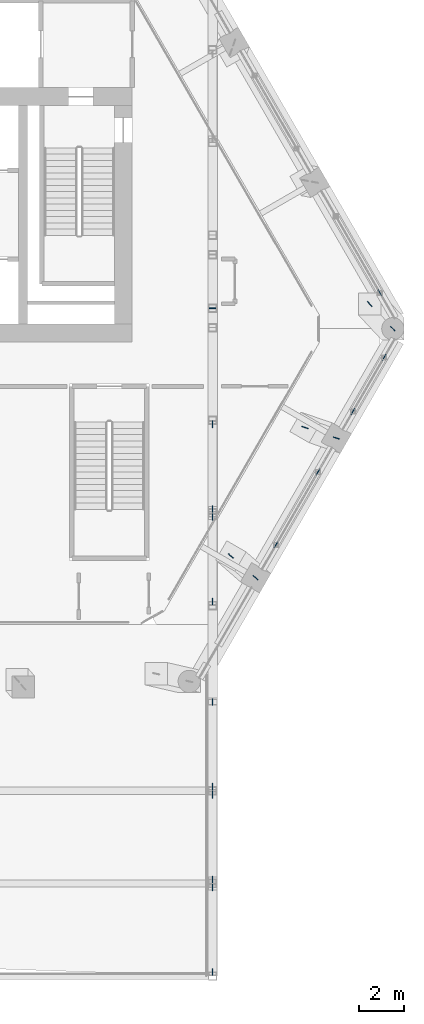
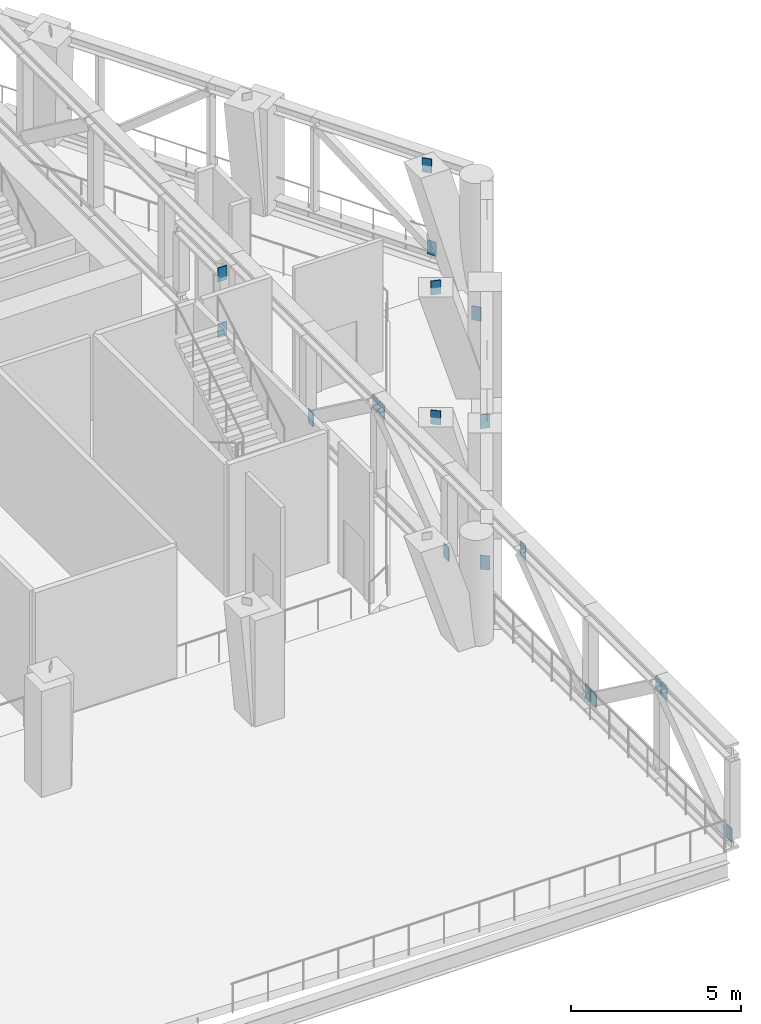
# One storey, part 14 of 22: 23 discrete accessories.
"""IFC4 building model written with IfcOpenShell, lengths in metres."""

from ifc_helpers import new_model, si_unit, direction, frame, origin, origin_2d, place, context, subcontext, project, spatial, rectangle, extrude, material, layer, layer_set, type_object, element, save


model = new_model("IFC4")

# Units and contexts
model_context = context("Model", 3, precision=1e-05, world=origin(), true_north=direction((0.0, 1.0)))
body_context = subcontext(model_context, "Body", "Model", "MODEL_VIEW")
ifc_project = project(units=[si_unit("LENGTHUNIT", "METRE"), si_unit("AREAUNIT", "SQUARE_METRE"), si_unit("VOLUMEUNIT", "CUBIC_METRE"), si_unit("PLANEANGLEUNIT", "RADIAN"), si_unit("MASSUNIT", "GRAM", prefix="KILO")], contexts=[model_context])

# Site, building, storey
site_placement = place(None, origin())
site = spatial("IfcSite", under=ifc_project, at=site_placement, CompositionType="ELEMENT")
building_placement = place(site_placement, origin())
building = spatial("IfcBuilding", under=site, at=building_placement, Name="Ostrander Bayou Hotel Tower", CompositionType="ELEMENT")
storey_placement = place(building_placement, frame((0.0, 0.0, 209.5)))
storey = spatial("IfcBuildingStorey", under=building, at=storey_placement, Name="L52", CompositionType="ELEMENT", Elevation=209.5)

# Discrete accessories
ifc_material = material(Name="Steel ASTM A572 Gr 50", Category="steel")
ifc_layer = layer(ifc_material, 0.030029296875)
ifc_layer_set = layer_set([ifc_layer], Name="GP1 gusset plate 30 mm")
discrete_accessory_type = type_object("IfcDiscreteAccessoryType", Name="GP1 gusset plate 30 mm", PredefinedType="BRACKET", material=ifc_layer_set)
for number, where, z_axis, x_axis, name in (
    (1, (16.8359375, -7.539306640625, 0.117919921875), (0.0, 0.0, 1.0), (-0.500015114919, -0.866016677006, 0.0), "GP1 gusset plate belt 41"),
    (2, (14.947021484375, -10.810791015625, 3.18212890625), (0.0, 0.0, 1.0), (-0.500015114919, -0.866016677006, 0.0), "GP1 gusset plate belt 42"),
    (3, (18.403564453125, -4.82421875, 0.117919921875), (0.0, 0.0, 1.0), (0.500015114919, 0.866016677006, 0.0), "GP1 gusset plate belt 43"),
    (4, (19.80712890625, -2.39306640625, 3.18212890625), (0.0, 0.0, 1.0), (0.500015114919, 0.866016677006, 0.0), "GP1 gusset plate belt 44"),
    (5, (19.614501953125, 0.501220703125, 0.117919921875), (0.0, 0.0, 1.0), (-0.5, 0.866025403784, 0.0), "GP1 gusset plate belt 45"),
    (6, (12.110107421875, -0.189697265625, 0.247802734375), (0.0, 0.0, 1.0), (1.0, 0.0, 0.0), "GP1 gusset plate bar 197"),
    (7, (12.110107421875, -0.189697265625, 2.25), (0.0, 0.0, 1.0), (1.0, 0.0, 0.0), "GP1 gusset plate bar 198"),
    (8, (12.110107421875, -5.3994140625, 0.247802734375), (0.0, 0.0, 1.0), (0.0, -1.0, 0.0), "GP1 gusset plate bar 199"),
    (9, (12.110107421875, -9.198486328125, 3.05224609375), (0.0, 0.0, 1.0), (0.0, -1.0, 0.0), "GP1 gusset plate bar 200"),
    (10, (12.110107421875, -13.353271484375, 0.247802734375), (0.0, 0.0, 1.0), (0.0, 1.0, 0.0), "GP1 gusset plate bar 201"),
    (11, (12.110107421875, -9.55419921875, 3.05224609375), (0.0, 0.0, 1.0), (0.0, 1.0, 0.0), "GP1 gusset plate bar 202"),
    (12, (12.110107421875, -21.662841796875, 0.247802734375), (0.0, 0.0, 1.0), (0.0, 1.0, 0.0), "GP1 gusset plate bar 203"),
    (13, (12.110107421875, -17.863525390625, 3.05224609375), (0.0, 0.0, 1.0), (0.0, 1.0, 0.0), "GP1 gusset plate bar 204"),
    (14, (12.110107421875, -22.018310546875, 0.247802734375), (0.0, 0.0, 1.0), (0.0, -1.0, 0.0), "GP1 gusset plate bar 205"),
    (15, (12.110107421875, -25.8173828125, 3.05224609375), (0.0, 0.0, 1.0), (0.0, -1.0, 0.0), "GP1 gusset plate bar 206"),
    (16, (12.110107421875, -29.97216796875, 0.247802734375), (0.0, 0.0, 1.0), (0.0, 1.0, 0.0), "GP1 gusset plate bar 207"),
    (17, (12.110107421875, -26.173095703125, 3.05224609375), (0.0, 0.0, 1.0), (0.0, 1.0, 0.0), "GP1 gusset plate bar 208"),
    (18, (20.194580078125, -1.11279296875, -1.449951171875), (0.0, 0.0, 1.0), (-0.68266183466, 0.730734438424, 0.0), "GP1 gusset plate belt 129"),
    (19, (19.155029296875, 0.0, 3.550048828125), (0.0, 0.0, 1.0), (-0.68266183466, 0.730734438424, 0.0), "GP1 gusset plate belt 130"),
    (20, (14.039306640625, -12.283203125, -1.449951171875), (0.0, 0.0, 1.0), (-0.751724718475, 0.659477025858, 0.0), "GP1 gusset plate belt 149"),
    (21, (12.927734375, -11.308349609375, 3.550048828125), (0.0, 0.0, 1.0), (-0.751724718475, 0.659477025858, 0.0), "GP1 gusset plate belt 150"),
    (22, (17.6572265625, -6.0166015625, -1.449951171875), (0.0, 0.0, 1.0), (-0.946986216842, 0.321274189923, 0.0), "GP1 gusset plate belt 151"),
    (23, (16.257080078125, -5.541748046875, 3.550048828125), (0.0, 0.0, 1.0), (-0.946986216842, 0.321274189923, 0.0), "GP1 gusset plate belt 152"),
):
    element("IfcDiscreteAccessory", number, at=place(storey_placement, frame(where, z_axis=z_axis, x_axis=x_axis)), inside=storey, type_object=discrete_accessory_type, Name=name, PredefinedType="BRACKET", context=body_context, shape_type="SweptSolid", body=[
        extrude(rectangle(XDim=0.300048828125, YDim=0.030029296875, at=origin_2d()), origin(), (0.0, 0.0, 1.0), 0.5),
    ])

save(model, "model.ifc")
